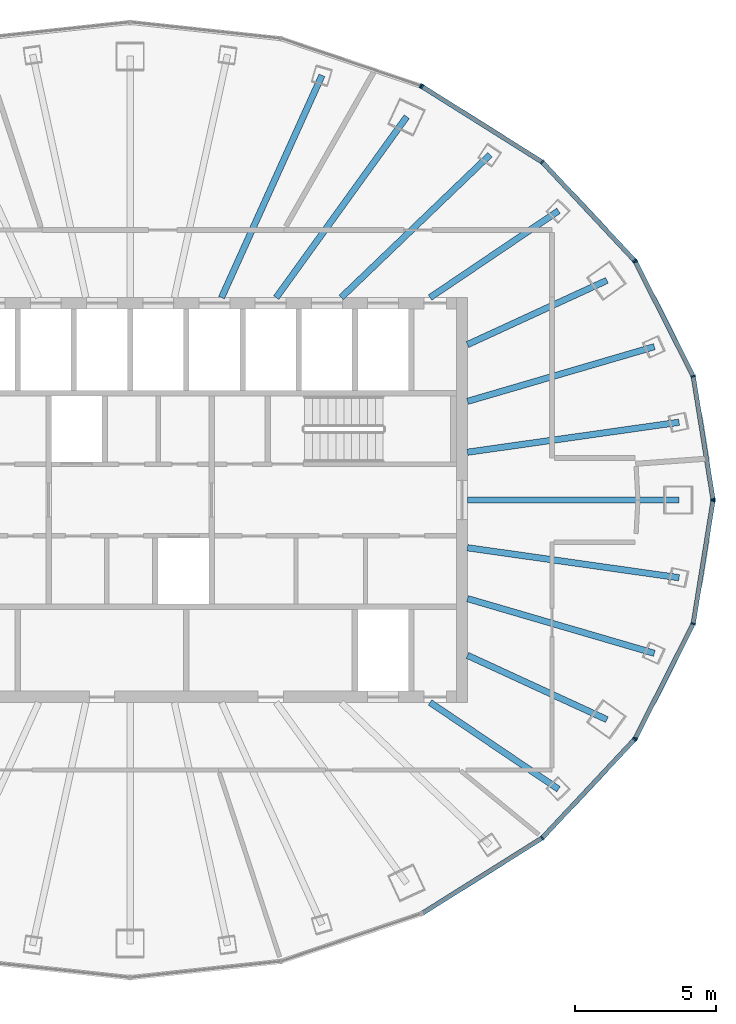
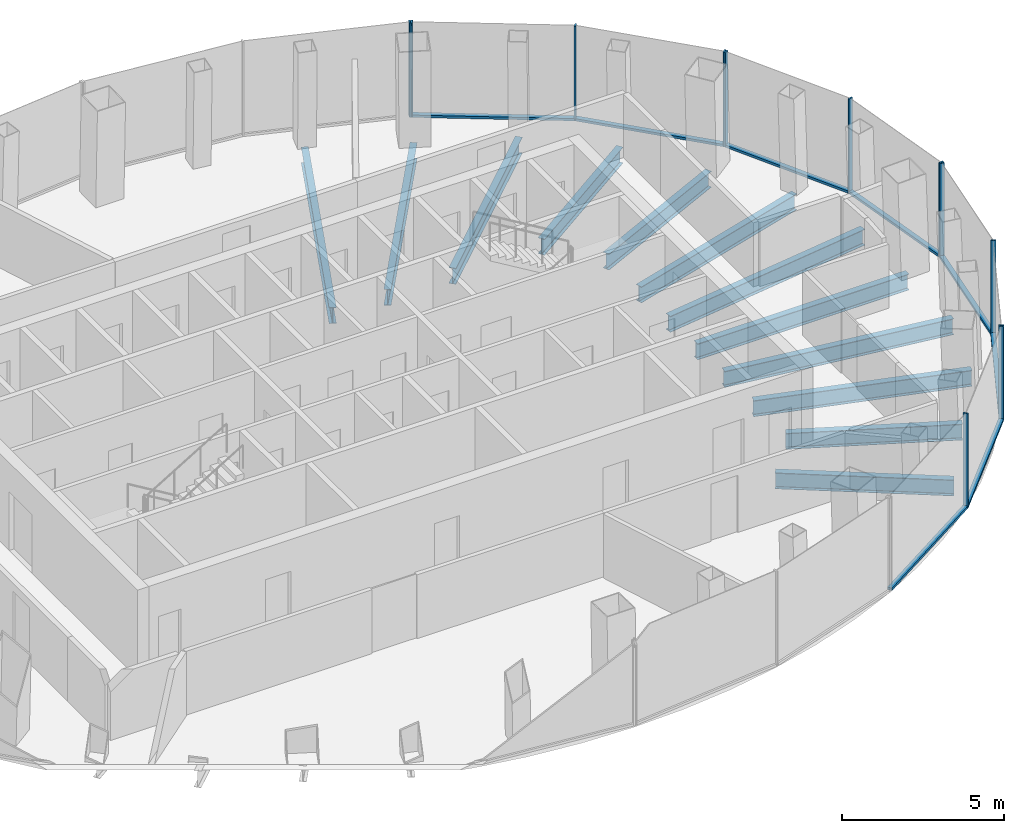
# One storey, part 5 of 11: 20 members, 12 beams, 5 elements without a shape of their own.
"""IFC4 building model written with IfcOpenShell, lengths in metres."""

from ifc_helpers import new_model, si_unit, direction, frame, origin, origin_2d, place, context, subcontext, project, spatial, rectangle, i_section, extrude, material, layer, layer_set, material_profile, profile_set, type_object, element, aggregate, save


model = new_model("IFC4")

# Units and contexts
model_context = context("Model", 3, precision=1e-05, world=origin(), true_north=direction((0.0, 1.0)))
body_context = subcontext(model_context, "Body", "Model", "MODEL_VIEW")
ifc_project = project(units=[si_unit("LENGTHUNIT", "METRE"), si_unit("AREAUNIT", "SQUARE_METRE"), si_unit("VOLUMEUNIT", "CUBIC_METRE"), si_unit("PLANEANGLEUNIT", "RADIAN"), si_unit("MASSUNIT", "GRAM", prefix="KILO")], contexts=[model_context])

# Site, building, storey
site_placement = place(None, origin())
site = spatial("IfcSite", under=ifc_project, at=site_placement, CompositionType="ELEMENT")
building_placement = place(site_placement, origin())
building = spatial("IfcBuilding", under=site, at=building_placement, Name="Siaravel Broadcast Tower", CompositionType="ELEMENT")
storey_placement = place(building_placement, frame((0.0, 0.0, 257.800048828125)))
storey = spatial("IfcBuildingStorey", under=building, at=storey_placement, Name="L63", CompositionType="ELEMENT", Elevation=257.800048828125)

# Beams
ifc_material_1 = material(Name="Steel S355", Category="steel")
ifc_material_profile_1 = material_profile(ifc_material_1, i_section(OverallWidth=0.2275390625, OverallDepth=0.6025390625, WebThickness=0.010498046875, FlangeThickness=0.014892578125, FilletRadius=0.0126953125, at=origin_2d()))
ifc_profile_set_1 = profile_set([ifc_material_profile_1], Name="Steel S355")
beam_type = type_object("IfcBeamType", Name="BM-UB 610x229x101", PredefinedType="BEAM", material=ifc_profile_set_1)
beam_1_placement = place(storey_placement, frame((19.51953125, 0.0, -0.451416015625), z_axis=(-1.0, 0.0, 0.0), x_axis=(0.0, -1.0, 0.0)))
element("IfcBeam", 1, at=beam_1_placement, inside=storey, type_object=beam_type, Name="Radial beam RB01", PredefinedType="BEAM", context=body_context, shape_type="SweptSolid", body=[
    extrude(i_section(OverallWidth=0.2275390625, OverallDepth=0.6025390625, WebThickness=0.010498046875, FlangeThickness=0.014892578125, FilletRadius=0.0126953125, at=origin_2d()), origin(), (0.0, 0.0, 1.0), 7.51953125),
])
beam_2_placement = place(storey_placement, frame((19.5244140625, 2.764404296875, -0.451416015625), z_axis=(-0.990127962, -0.140166395, 0.0), x_axis=(0.140166395, -0.990127962, 0.0)))
element("IfcBeam", 2, at=beam_2_placement, inside=storey, type_object=beam_type, Name="Radial beam RB02", PredefinedType="BEAM", context=body_context, shape_type="SweptSolid", body=[
    extrude(i_section(OverallWidth=0.2275390625, OverallDepth=0.6025390625, WebThickness=0.010498046875, FlangeThickness=0.014892578125, FilletRadius=0.0126953125, at=origin_2d()), origin(), (0.0, 0.0, 1.0), 7.599365234375),
])
beam_3_placement = place(storey_placement, frame((18.64501953125, 5.451904296875, -0.451416015625), z_axis=(-0.959806244, -0.280663454, 0.0), x_axis=(0.280663454, -0.959806244, 0.0)))
element("IfcBeam", 3, at=beam_3_placement, inside=storey, type_object=beam_type, Name="Radial beam RB03", PredefinedType="BEAM", context=body_context, shape_type="SweptSolid", body=[
    extrude(i_section(OverallWidth=0.2275390625, OverallDepth=0.6025390625, WebThickness=0.010498046875, FlangeThickness=0.014892578125, FilletRadius=0.0126953125, at=origin_2d()), origin(), (0.0, 0.0, 1.0), 6.92333984375),
])
beam_4_placement = place(storey_placement, frame((16.9580078125, 7.811279296875, -0.451416015625), z_axis=(-0.908264143, -0.418397235, 0.0), x_axis=(0.418397235, -0.908264143, 0.0)))
element("IfcBeam", 4, at=beam_4_placement, inside=storey, type_object=beam_type, Name="Radial beam RB04", PredefinedType="BEAM", context=body_context, shape_type="SweptSolid", body=[
    extrude(i_section(OverallWidth=0.2275390625, OverallDepth=0.6025390625, WebThickness=0.010498046875, FlangeThickness=0.014892578125, FilletRadius=0.0126953125, at=origin_2d()), origin(), (0.0, 0.0, 1.0), 5.458740234375),
])
beam_5_placement = place(storey_placement, frame((15.23681640625, 10.2841796875, -0.451416015625), z_axis=(-0.828854835, -0.559463728, 0.0), x_axis=(0.559463728, -0.828854835, 0.0)))
element("IfcBeam", 5, at=beam_5_placement, inside=storey, type_object=beam_type, Name="Radial beam RB05", PredefinedType="BEAM", context=body_context, shape_type="SweptSolid", body=[
    extrude(i_section(OverallWidth=0.2275390625, OverallDepth=0.6025390625, WebThickness=0.010498046875, FlangeThickness=0.014892578125, FilletRadius=0.0126953125, at=origin_2d()), origin(), (0.0, 0.0, 1.0), 5.512939453125),
])
beam_6_placement = place(storey_placement, frame((12.80078125, 12.279052734375, -0.451416015625), z_axis=(-0.721645274, -0.692263027, 0.0), x_axis=(0.692263027, -0.721645274, 0.0)))
element("IfcBeam", 6, at=beam_6_placement, inside=storey, type_object=beam_type, Name="Radial beam RB06", PredefinedType="BEAM", context=body_context, shape_type="SweptSolid", body=[
    extrude(i_section(OverallWidth=0.2275390625, OverallDepth=0.6025390625, WebThickness=0.010498046875, FlangeThickness=0.014892578125, FilletRadius=0.0126953125, at=origin_2d()), origin(), (0.0, 0.0, 1.0), 7.3369140625),
])
beam_7_placement = place(storey_placement, frame((9.839599609375, 13.632568359375, -0.451416015625), z_axis=(-0.585245577, -0.8108561, 0.0), x_axis=(0.8108561, -0.585245577, 0.0)))
element("IfcBeam", 7, at=beam_7_placement, inside=storey, type_object=beam_type, Name="Radial beam RB07", PredefinedType="BEAM", context=body_context, shape_type="SweptSolid", body=[
    extrude(i_section(OverallWidth=0.2275390625, OverallDepth=0.6025390625, WebThickness=0.010498046875, FlangeThickness=0.014892578125, FilletRadius=0.0126953125, at=origin_2d()), origin(), (0.0, 0.0, 1.0), 7.93310546875),
])
beam_8_placement = place(storey_placement, frame((6.82373046875, 15.1044921875, -0.451416015625), z_axis=(-0.41170663, -0.911316439, 0.0), x_axis=(0.911316439, -0.41170663, 0.0)))
element("IfcBeam", 8, at=beam_8_placement, inside=storey, type_object=beam_type, Name="Radial beam RB08", PredefinedType="BEAM", context=body_context, shape_type="SweptSolid", body=[
    extrude(i_section(OverallWidth=0.2275390625, OverallDepth=0.6025390625, WebThickness=0.010498046875, FlangeThickness=0.014892578125, FilletRadius=0.0126953125, at=origin_2d()), origin(), (0.0, 0.0, 1.0), 8.673828125),
])
beam_9_placement = place(storey_placement, frame((15.23681640625, -10.2841796875, -0.451416015625), z_axis=(-0.828854835, 0.559463728, 0.0), x_axis=(-0.559463728, -0.828854835, 0.0)))
element("IfcBeam", 9, at=beam_9_placement, inside=storey, type_object=beam_type, Name="Radial beam RB33", PredefinedType="BEAM", context=body_context, shape_type="SweptSolid", body=[
    extrude(i_section(OverallWidth=0.2275390625, OverallDepth=0.6025390625, WebThickness=0.010498046875, FlangeThickness=0.014892578125, FilletRadius=0.0126953125, at=origin_2d()), origin(), (0.0, 0.0, 1.0), 5.512939453125),
])
beam_10_placement = place(storey_placement, frame((16.9580078125, -7.811279296875, -0.451416015625), z_axis=(-0.908264143, 0.418397235, 0.0), x_axis=(-0.418397235, -0.908264143, 0.0)))
element("IfcBeam", 10, at=beam_10_placement, inside=storey, type_object=beam_type, Name="Radial beam RB34", PredefinedType="BEAM", context=body_context, shape_type="SweptSolid", body=[
    extrude(i_section(OverallWidth=0.2275390625, OverallDepth=0.6025390625, WebThickness=0.010498046875, FlangeThickness=0.014892578125, FilletRadius=0.0126953125, at=origin_2d()), origin(), (0.0, 0.0, 1.0), 5.458740234375),
])
beam_11_placement = place(storey_placement, frame((18.64501953125, -5.451904296875, -0.451416015625), z_axis=(-0.959806244, 0.280663454, 0.0), x_axis=(-0.280663454, -0.959806244, 0.0)))
element("IfcBeam", 11, at=beam_11_placement, inside=storey, type_object=beam_type, Name="Radial beam RB35", PredefinedType="BEAM", context=body_context, shape_type="SweptSolid", body=[
    extrude(i_section(OverallWidth=0.2275390625, OverallDepth=0.6025390625, WebThickness=0.010498046875, FlangeThickness=0.014892578125, FilletRadius=0.0126953125, at=origin_2d()), origin(), (0.0, 0.0, 1.0), 6.92333984375),
])
beam_12_placement = place(storey_placement, frame((19.5244140625, -2.764404296875, -0.451416015625), z_axis=(-0.990127962, 0.140166395, 0.0), x_axis=(-0.140166395, -0.990127962, 0.0)))
element("IfcBeam", 12, at=beam_12_placement, inside=storey, type_object=beam_type, Name="Radial beam RB36", PredefinedType="BEAM", context=body_context, shape_type="SweptSolid", body=[
    extrude(i_section(OverallWidth=0.2275390625, OverallDepth=0.6025390625, WebThickness=0.010498046875, FlangeThickness=0.014892578125, FilletRadius=0.0126953125, at=origin_2d()), origin(), (0.0, 0.0, 1.0), 7.599365234375),
])

# Curtain wall, members
ifc_material_2 = material(Name="Aluminium 6063-T6", Category="aluminium")
ifc_layer = layer(ifc_material_2, 0.159912109375)
ifc_layer_set = layer_set([ifc_layer], Name="Aluminium 6063-T6")
curtain_wall_type = type_object("IfcCurtainWallType", Name="Unitised curtain wall, zone 4", PredefinedType="NOTDEFINED", material=ifc_layer_set)
curtain_wall_1_placement = place(storey_placement, origin())
curtain_wall_1 = element("IfcCurtainWall", 13, at=curtain_wall_1_placement, inside=storey, type_object=curtain_wall_type, Name="L63 Unitised curtain wall, zone 4 01", PredefinedType="NOTDEFINED")
ifc_material_profile_2 = material_profile(ifc_material_2, rectangle(XDim=0.159912109375, YDim=0.054931640625, at=origin_2d()))
ifc_profile_set_2 = profile_set([ifc_material_profile_2], Name="Aluminium 6063-T6")
member_type_1 = type_object("IfcMemberType", Name="CW-Z4 mullion", PredefinedType="MULLION", material=ifc_profile_set_2)
member_1_placement = place(storey_placement, frame((20.729248046875, 0.027099609375, 0.0), z_axis=(0.0, 0.0, 1.0), x_axis=(-0.987329322, -0.158684626, 0.0)))
member_1 = element("IfcMember", 14, at=member_1_placement, type_object=member_type_1, Name="CW-Z4 mullion 1", PredefinedType="MULLION", context=body_context, shape_type="SweptSolid", body=[
    extrude(rectangle(XDim=0.159912109375, YDim=0.054931640625, at=origin_2d()), origin(), (0.0, 0.0, 1.0), 3.550048828125),
])
member_2_placement = place(storey_placement, frame((20.0263671875, 4.400390625, 0.0), z_axis=(0.0, 0.0, 1.0), x_axis=(-0.951177667, -0.30864388, 0.0)))
member_2 = element("IfcMember", 15, at=member_2_placement, type_object=member_type_1, Name="CW-Z4 mullion 2", PredefinedType="MULLION", context=body_context, shape_type="SweptSolid", body=[
    extrude(rectangle(XDim=0.159912109375, YDim=0.054931640625, at=origin_2d()), origin(), (0.0, 0.0, 1.0), 3.550048828125),
])
member_3_placement = place(storey_placement, frame((17.9658203125, 8.475341796875, 0.0), z_axis=(0.0, 0.0, 1.0), x_axis=(-0.892393007, -0.45125904, 0.0)))
member_3 = element("IfcMember", 16, at=member_3_placement, type_object=member_type_1, Name="CW-Z4 mullion 3", PredefinedType="MULLION", context=body_context, shape_type="SweptSolid", body=[
    extrude(rectangle(XDim=0.159912109375, YDim=0.054931640625, at=origin_2d()), origin(), (0.0, 0.0, 1.0), 3.550048828125),
])

curtain_wall_2_placement = place(storey_placement, origin())
curtain_wall_2 = element("IfcCurtainWall", 17, at=curtain_wall_2_placement, inside=storey, type_object=curtain_wall_type, Name="L63 Unitised curtain wall, zone 4 02", PredefinedType="NOTDEFINED")
member_4_placement = place(storey_placement, frame((17.9345703125, 8.52001953125, 0.0), z_axis=(0.0, 0.0, 1.0), x_axis=(-0.729806711, -0.683653541, 0.0)))
member_4 = element("IfcMember", 18, at=member_4_placement, type_object=member_type_1, Name="CW-Z4 mullion 1", PredefinedType="MULLION", context=body_context, shape_type="SweptSolid", body=[
    extrude(rectangle(XDim=0.159912109375, YDim=0.054931640625, at=origin_2d()), origin(), (0.0, 0.0, 1.0), 3.550048828125),
])
member_5_placement = place(storey_placement, frame((14.6572265625, 12.0185546875, 0.0), z_axis=(0.0, 0.0, 1.0), x_axis=(-0.636220107, -0.771507599, 0.0)))
member_5 = element("IfcMember", 19, at=member_5_placement, type_object=member_type_1, Name="CW-Z4 mullion 2", PredefinedType="MULLION", context=body_context, shape_type="SweptSolid", body=[
    extrude(rectangle(XDim=0.159912109375, YDim=0.054931640625, at=origin_2d()), origin(), (0.0, 0.0, 1.0), 3.550048828125),
])
member_6_placement = place(storey_placement, frame((10.386474609375, 14.702880859375, 0.0), z_axis=(0.0, 0.0, 1.0), x_axis=(-0.532150638, -0.84664969, 0.0)))
member_6 = element("IfcMember", 20, at=member_6_placement, type_object=member_type_1, Name="CW-Z4 mullion 3", PredefinedType="MULLION", context=body_context, shape_type="SweptSolid", body=[
    extrude(rectangle(XDim=0.159912109375, YDim=0.054931640625, at=origin_2d()), origin(), (0.0, 0.0, 1.0), 3.550048828125),
])

# Curtain wall, member
curtain_wall_3_placement = place(storey_placement, origin())
curtain_wall_3 = element("IfcCurtainWall", 21, at=curtain_wall_3_placement, inside=storey, type_object=curtain_wall_type, Name="L63 Unitised curtain wall, zone 4 03", PredefinedType="NOTDEFINED")
member_7_placement = place(storey_placement, frame((10.337158203125, 14.726318359375, 0.0), z_axis=(0.0, 0.0, 1.0), x_axis=(-0.321301584, -0.946976923, 0.0)))
member_7 = element("IfcMember", 22, at=member_7_placement, type_object=member_type_1, Name="CW-Z4 mullion 1", PredefinedType="MULLION", context=body_context, shape_type="SweptSolid", body=[
    extrude(rectangle(XDim=0.159912109375, YDim=0.054931640625, at=origin_2d()), origin(), (0.0, 0.0, 1.0), 3.550048828125),
])
aggregate(curtain_wall_3, [member_7])

# Curtain wall, members
curtain_wall_4_placement = place(storey_placement, origin())
curtain_wall_4 = element("IfcCurtainWall", 23, at=curtain_wall_4_placement, inside=storey, type_object=curtain_wall_type, Name="L63 Unitised curtain wall, zone 4 11", PredefinedType="NOTDEFINED")
member_8_placement = place(storey_placement, frame((14.6572265625, -12.0185546875, 0.0), z_axis=(0.0, 0.0, 1.0), x_axis=(-0.636220107, 0.771507599, 0.0)))
member_8 = element("IfcMember", 24, at=member_8_placement, type_object=member_type_1, Name="CW-Z4 mullion 2", PredefinedType="MULLION", context=body_context, shape_type="SweptSolid", body=[
    extrude(rectangle(XDim=0.159912109375, YDim=0.054931640625, at=origin_2d()), origin(), (0.0, 0.0, 1.0), 3.550048828125),
])
member_9_placement = place(storey_placement, frame((17.9345703125, -8.52001953125, 0.0), z_axis=(0.0, 0.0, 1.0), x_axis=(-0.729806711, 0.683653541, 0.0)))
member_9 = element("IfcMember", 25, at=member_9_placement, type_object=member_type_1, Name="CW-Z4 mullion 3", PredefinedType="MULLION", context=body_context, shape_type="SweptSolid", body=[
    extrude(rectangle(XDim=0.159912109375, YDim=0.054931640625, at=origin_2d()), origin(), (0.0, 0.0, 1.0), 3.550048828125),
])

curtain_wall_5_placement = place(storey_placement, origin())
curtain_wall_5 = element("IfcCurtainWall", 26, at=curtain_wall_5_placement, inside=storey, type_object=curtain_wall_type, Name="L63 Unitised curtain wall, zone 4 12", PredefinedType="NOTDEFINED")
member_10_placement = place(storey_placement, frame((17.9658203125, -8.475341796875, 0.0), z_axis=(0.0, 0.0, 1.0), x_axis=(-0.892393007, 0.45125904, 0.0)))
member_10 = element("IfcMember", 27, at=member_10_placement, type_object=member_type_1, Name="CW-Z4 mullion 1", PredefinedType="MULLION", context=body_context, shape_type="SweptSolid", body=[
    extrude(rectangle(XDim=0.159912109375, YDim=0.054931640625, at=origin_2d()), origin(), (0.0, 0.0, 1.0), 3.550048828125),
])
member_11_placement = place(storey_placement, frame((20.0263671875, -4.400390625, 0.0), z_axis=(0.0, 0.0, 1.0), x_axis=(-0.951177667, 0.30864388, 0.0)))
member_11 = element("IfcMember", 28, at=member_11_placement, type_object=member_type_1, Name="CW-Z4 mullion 2", PredefinedType="MULLION", context=body_context, shape_type="SweptSolid", body=[
    extrude(rectangle(XDim=0.159912109375, YDim=0.054931640625, at=origin_2d()), origin(), (0.0, 0.0, 1.0), 3.550048828125),
])
member_12_placement = place(storey_placement, frame((20.729248046875, -0.027099609375, 0.0), z_axis=(0.0, 0.0, 1.0), x_axis=(-0.987329322, 0.158684626, 0.0)))
member_12 = element("IfcMember", 29, at=member_12_placement, type_object=member_type_1, Name="CW-Z4 mullion 3", PredefinedType="MULLION", context=body_context, shape_type="SweptSolid", body=[
    extrude(rectangle(XDim=0.159912109375, YDim=0.054931640625, at=origin_2d()), origin(), (0.0, 0.0, 1.0), 3.550048828125),
])

# Member
ifc_material_profile_3 = material_profile(ifc_material_2, rectangle(XDim=0.159912109375, YDim=0.090087890625, at=origin_2d()))
ifc_profile_set_3 = profile_set([ifc_material_profile_3], Name="Aluminium 6063-T6")
member_type_2 = type_object("IfcMemberType", Name="CW-Z4 transom", PredefinedType="USERDEFINED", material=ifc_profile_set_3)
member_13_placement = place(storey_placement, frame((20.724853515625, 0.05419921875, 0.044921875), z_axis=(-0.158667409, 0.987332089, 0.0), x_axis=(-0.987332089, -0.158667409, 0.0)))
member_13 = element("IfcMember", 30, at=member_13_placement, type_object=member_type_2, Name="CW-Z4 transom 1", ObjectType="TRANSOM", PredefinedType="USERDEFINED", context=body_context, shape_type="SweptSolid", body=[
    extrude(rectangle(XDim=0.159912109375, YDim=0.090087890625, at=origin_2d()), origin(), (0.0, 0.0, 1.0), 4.37451171875),
])

member_14_placement = place(storey_placement, frame((20.013916015625, 4.425048828125, 0.044921875), z_axis=(-0.451257233, 0.892393921, 0.0), x_axis=(-0.892393921, -0.451257233, 0.0)))
member_14 = element("IfcMember", 31, at=member_14_placement, type_object=member_type_2, Name="CW-Z4 transom 2", ObjectType="TRANSOM", PredefinedType="USERDEFINED", context=body_context, shape_type="SweptSolid", body=[
    extrude(rectangle(XDim=0.159912109375, YDim=0.090087890625, at=origin_2d()), origin(), (0.0, 0.0, 1.0), 4.510986328125),
])

aggregate(curtain_wall_1, [member_1, member_2, member_3, member_13, member_14])

member_15_placement = place(storey_placement, frame((17.915771484375, 8.5400390625, 0.044921875), z_axis=(-0.683649743, 0.729810269, 0.0), x_axis=(-0.729810269, -0.683649743, 0.0)))
member_15 = element("IfcMember", 32, at=member_15_placement, type_object=member_type_2, Name="CW-Z4 transom 1", ObjectType="TRANSOM", PredefinedType="USERDEFINED", context=body_context, shape_type="SweptSolid", body=[
    extrude(rectangle(XDim=0.159912109375, YDim=0.090087890625, at=origin_2d()), origin(), (0.0, 0.0, 1.0), 4.739013671875),
])

member_16_placement = place(storey_placement, frame((14.6337890625, 12.033203125, 0.044921875), z_axis=(-0.846648518, 0.532152504, 0.0), x_axis=(-0.532152504, -0.846648518, 0.0)))
member_16 = element("IfcMember", 33, at=member_16_placement, type_object=member_type_2, Name="CW-Z4 transom 2", ObjectType="TRANSOM", PredefinedType="USERDEFINED", context=body_context, shape_type="SweptSolid", body=[
    extrude(rectangle(XDim=0.159912109375, YDim=0.090087890625, at=origin_2d()), origin(), (0.0, 0.0, 1.0), 4.9892578125),
])

aggregate(curtain_wall_2, [member_4, member_5, member_6, member_15, member_16])

member_17_placement = place(storey_placement, frame((10.40966796875, -14.688232421875, 0.044921875), z_axis=(0.846648518, 0.532152504, 0.0), x_axis=(-0.532152504, 0.846648518, 0.0)))
member_17 = element("IfcMember", 34, at=member_17_placement, type_object=member_type_2, Name="CW-Z4 transom 1", ObjectType="TRANSOM", PredefinedType="USERDEFINED", context=body_context, shape_type="SweptSolid", body=[
    extrude(rectangle(XDim=0.159912109375, YDim=0.090087890625, at=origin_2d()), origin(), (0.0, 0.0, 1.0), 4.9892578125),
])

member_18_placement = place(storey_placement, frame((14.676025390625, -11.99853515625, 0.044921875), z_axis=(0.683649743, 0.729810269, 0.0), x_axis=(-0.729810269, 0.683649743, 0.0)))
member_18 = element("IfcMember", 35, at=member_18_placement, type_object=member_type_2, Name="CW-Z4 transom 2", ObjectType="TRANSOM", PredefinedType="USERDEFINED", context=body_context, shape_type="SweptSolid", body=[
    extrude(rectangle(XDim=0.159912109375, YDim=0.090087890625, at=origin_2d()), origin(), (0.0, 0.0, 1.0), 4.739013671875),
])

aggregate(curtain_wall_4, [member_8, member_9, member_17, member_18])

member_19_placement = place(storey_placement, frame((17.978271484375, -8.45068359375, 0.044921875), z_axis=(0.451257233, 0.892393921, 0.0), x_axis=(-0.892393921, 0.451257233, 0.0)))
member_19 = element("IfcMember", 36, at=member_19_placement, type_object=member_type_2, Name="CW-Z4 transom 1", ObjectType="TRANSOM", PredefinedType="USERDEFINED", context=body_context, shape_type="SweptSolid", body=[
    extrude(rectangle(XDim=0.159912109375, YDim=0.090087890625, at=origin_2d()), origin(), (0.0, 0.0, 1.0), 4.510986328125),
])

member_20_placement = place(storey_placement, frame((20.03076171875, -4.373291015625, 0.044921875), z_axis=(0.158667409, 0.987332089, 0.0), x_axis=(-0.987332089, 0.158667409, 0.0)))
member_20 = element("IfcMember", 37, at=member_20_placement, type_object=member_type_2, Name="CW-Z4 transom 2", ObjectType="TRANSOM", PredefinedType="USERDEFINED", context=body_context, shape_type="SweptSolid", body=[
    extrude(rectangle(XDim=0.159912109375, YDim=0.090087890625, at=origin_2d()), origin(), (0.0, 0.0, 1.0), 4.37451171875),
])

aggregate(curtain_wall_5, [member_10, member_11, member_12, member_19, member_20])

save(model, "model.ifc")
